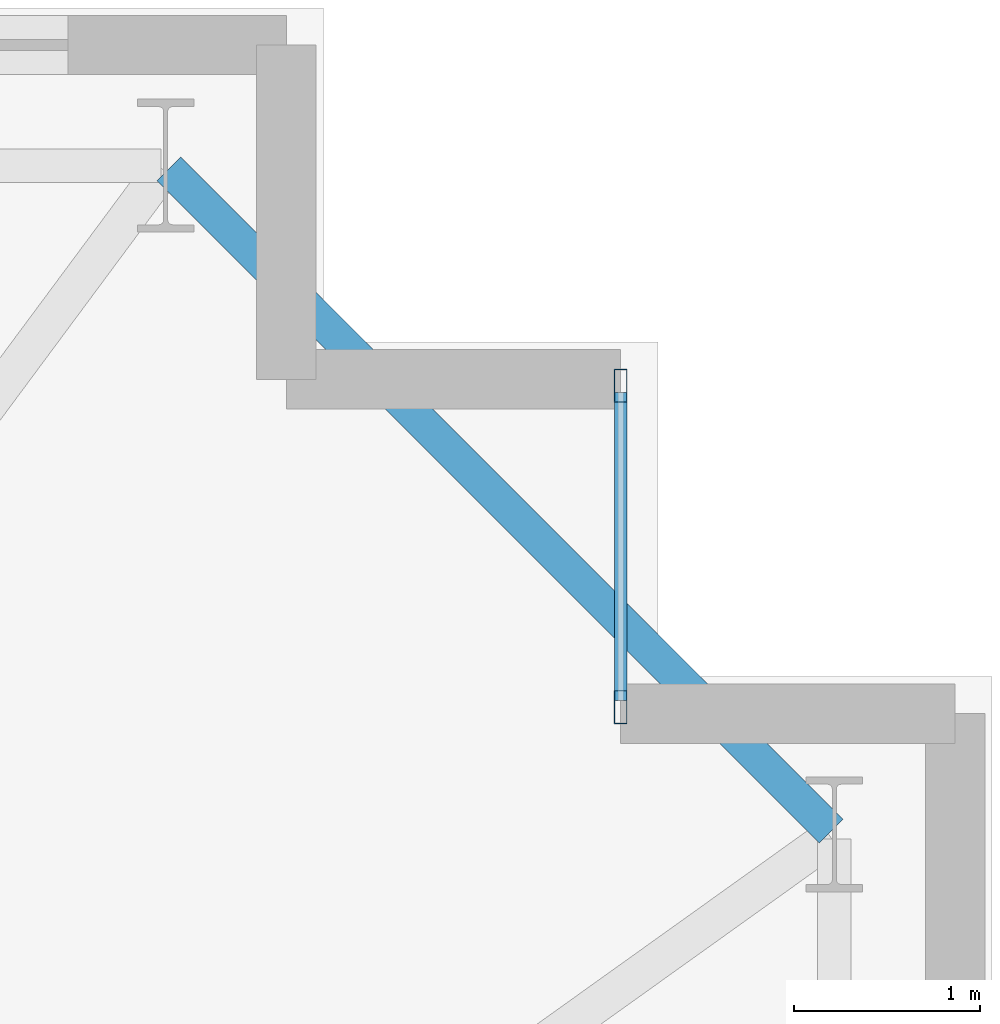
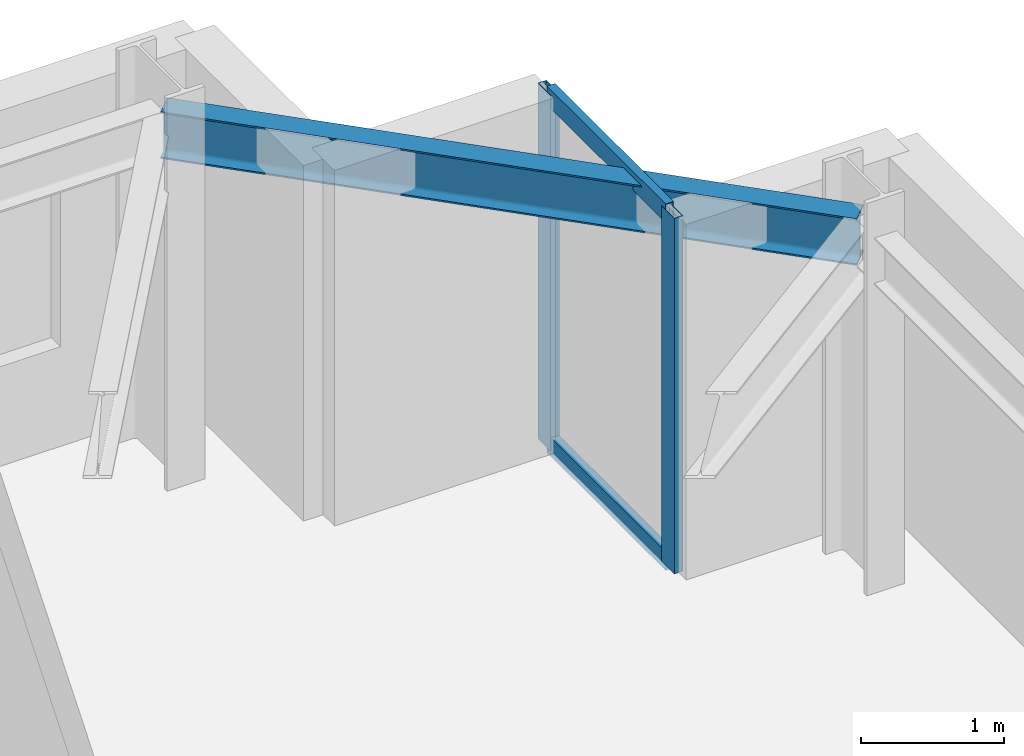
# One storey, part 12 of 21: 4 members, 1 beam, 1 element without a shape of its own.
"""IFC4 building model written with IfcOpenShell, lengths in metres."""

from ifc_helpers import new_model, si_unit, direction, frame, origin, origin_2d, place, context, subcontext, project, spatial, hollow_rectangle, i_section, extrude, material, layer, layer_set, material_profile, profile_set, type_object, element, aggregate, save


model = new_model("IFC4")

# Units and contexts
model_context = context("Model", 3, precision=1e-05, world=origin(), true_north=direction((0.0, 1.0)))
body_context = subcontext(model_context, "Body", "Model", "MODEL_VIEW")
ifc_project = project(units=[si_unit("LENGTHUNIT", "METRE"), si_unit("AREAUNIT", "SQUARE_METRE"), si_unit("VOLUMEUNIT", "CUBIC_METRE"), si_unit("PLANEANGLEUNIT", "RADIAN"), si_unit("MASSUNIT", "GRAM", prefix="KILO")], contexts=[model_context])

# Site, building, storey
site_placement = place(None, origin())
site = spatial("IfcSite", under=ifc_project, at=site_placement, CompositionType="ELEMENT")
building_placement = place(site_placement, origin())
building = spatial("IfcBuilding", under=site, at=building_placement, Name="Qobustan Lattice House", CompositionType="ELEMENT")
storey_placement = place(building_placement, frame((0.0, 0.0, 40.39990234375)))
storey = spatial("IfcBuildingStorey", under=building, at=storey_placement, Name="L10", CompositionType="ELEMENT", Elevation=40.39990234375)

# Beam
ifc_material_1 = material(Name="Steel S355", Category="steel")
ifc_material_profile_1 = material_profile(ifc_material_1, i_section(OverallWidth=0.179931640625, OverallDepth=0.39990234375, WebThickness=0.008544921875, FlangeThickness=0.013427734375, FilletRadius=0.02099609375, at=origin_2d()), Name="IPE400")
ifc_profile_set_1 = profile_set([ifc_material_profile_1], Name="Steel S355")
beam_type = type_object("IfcBeamType", Name="BM-SPD-IPE400", PredefinedType="SPANDREL", material=ifc_profile_set_1)
beam_placement = place(storey_placement, frame((32.13232421875, 15.167724609375, 2.835205078125), z_axis=(-0.707106781187, 0.707106781187, 0.0), x_axis=(-0.707106781187, -0.707106781187, 0.0)))
element("IfcBeam", 1, at=beam_placement, inside=storey, type_object=beam_type, Name="L10 perimeter spandrel E4-N1", PredefinedType="SPANDREL", context=body_context, shape_type="SweptSolid", body=[
    extrude(i_section(OverallWidth=0.179931640625, OverallDepth=0.39990234375, WebThickness=0.008544921875, FlangeThickness=0.013427734375, FilletRadius=0.02099609375, at=origin_2d()), origin(), (0.0, 0.0, 1.0), 5.041259765625),
])

# Curtain wall, members
ifc_material_2 = material(Name="Anodised aluminium and low-E glazing", Category="aluminium")
ifc_layer = layer(ifc_material_2, 0.219970703125)
ifc_layer_set = layer_set([ifc_layer], Name="Anodised aluminium and low-E glazing")
curtain_wall_type = type_object("IfcCurtainWallType", Name="CW-FAC-01", PredefinedType="USERDEFINED", material=ifc_layer_set)
curtain_wall_placement = place(storey_placement, origin())
curtain_wall = element("IfcCurtainWall", 2, at=curtain_wall_placement, inside=storey, type_object=curtain_wall_type, Name="L10 serrated corner faceted glazing 13", ObjectType="CURTAIN WALL", PredefinedType="USERDEFINED")
ifc_material_3 = material(Name="Anodised aluminium EN AW-6063 T6", Category="aluminium")
ifc_material_profile_2 = material_profile(ifc_material_3, hollow_rectangle(XDim=0.070068359375, YDim=0.179931640625, WallThickness=0.00439453125, at=origin_2d()), Name="CWM-180x70")
ifc_profile_set_2 = profile_set([ifc_material_profile_2], Name="Anodised aluminium EN AW-6063 T6")
member_type_1 = type_object("IfcMemberType", Name="CWM-STD-180", PredefinedType="MULLION", material=ifc_profile_set_2)
member_1_placement = place(storey_placement, frame((31.0, 17.56494140625, 0.0), z_axis=(0.0, 0.0, 1.0), x_axis=(1.0, 0.0, 0.0)))
member_1 = element("IfcMember", 3, at=member_1_placement, type_object=member_type_1, Name="CW-F1 mullion 1", PredefinedType="MULLION", context=body_context, shape_type="SweptSolid", body=[
    extrude(hollow_rectangle(XDim=0.070068359375, YDim=0.179931640625, WallThickness=0.00439453125, at=origin_2d()), origin(), (0.0, 0.0, 1.0), 3.03515625),
])
member_2_placement = place(storey_placement, frame((31.0, 15.8349609375, 0.0), z_axis=(0.0, 0.0, 1.0), x_axis=(1.0, 0.0, 0.0)))
member_2 = element("IfcMember", 4, at=member_2_placement, type_object=member_type_1, Name="CW-F1 mullion 2", PredefinedType="MULLION", context=body_context, shape_type="SweptSolid", body=[
    extrude(hollow_rectangle(XDim=0.070068359375, YDim=0.179931640625, WallThickness=0.00439453125, at=origin_2d()), origin(), (0.0, 0.0, 1.0), 3.03515625),
])
ifc_material_4 = material(Name="Anodised aluminium EN AW-6063 T6", Category="aluminium")
ifc_material_profile_3 = material_profile(ifc_material_4, hollow_rectangle(XDim=0.06494140625, YDim=0.159912109375, WallThickness=0.00390625, at=origin_2d()), Name="CWT-160x65")
ifc_profile_set_3 = profile_set([ifc_material_profile_3], Name="Anodised aluminium EN AW-6063 T6")
member_type_2 = type_object("IfcMemberType", Name="CWT-HOR-160", PredefinedType="USERDEFINED", material=ifc_profile_set_3)
member_3_placement = place(storey_placement, frame((31.0, 17.530029296875, 0.03271484375), z_axis=(0.0, -1.0, 0.0), x_axis=(1.0, 0.0, 0.0)))
member_3 = element("IfcMember", 5, at=member_3_placement, type_object=member_type_2, Name="CW-F1 transom 1.1", ObjectType="TRANSOM", PredefinedType="USERDEFINED", context=body_context, shape_type="SweptSolid", body=[
    extrude(hollow_rectangle(XDim=0.06494140625, YDim=0.159912109375, WallThickness=0.00390625, at=origin_2d()), origin(), (0.0, 0.0, 1.0), 1.659912109375),
])
member_4_placement = place(storey_placement, frame((31.0, 17.530029296875, 3.002685546875), z_axis=(0.0, -1.0, 0.0), x_axis=(1.0, 0.0, 0.0)))
member_4 = element("IfcMember", 6, at=member_4_placement, type_object=member_type_2, Name="CW-F1 transom 1.2", ObjectType="TRANSOM", PredefinedType="USERDEFINED", context=body_context, shape_type="SweptSolid", body=[
    extrude(hollow_rectangle(XDim=0.06494140625, YDim=0.159912109375, WallThickness=0.00390625, at=origin_2d()), origin(), (0.0, 0.0, 1.0), 1.659912109375),
])
aggregate(curtain_wall, [member_1, member_2, member_3, member_4])

save(model, "model.ifc")
